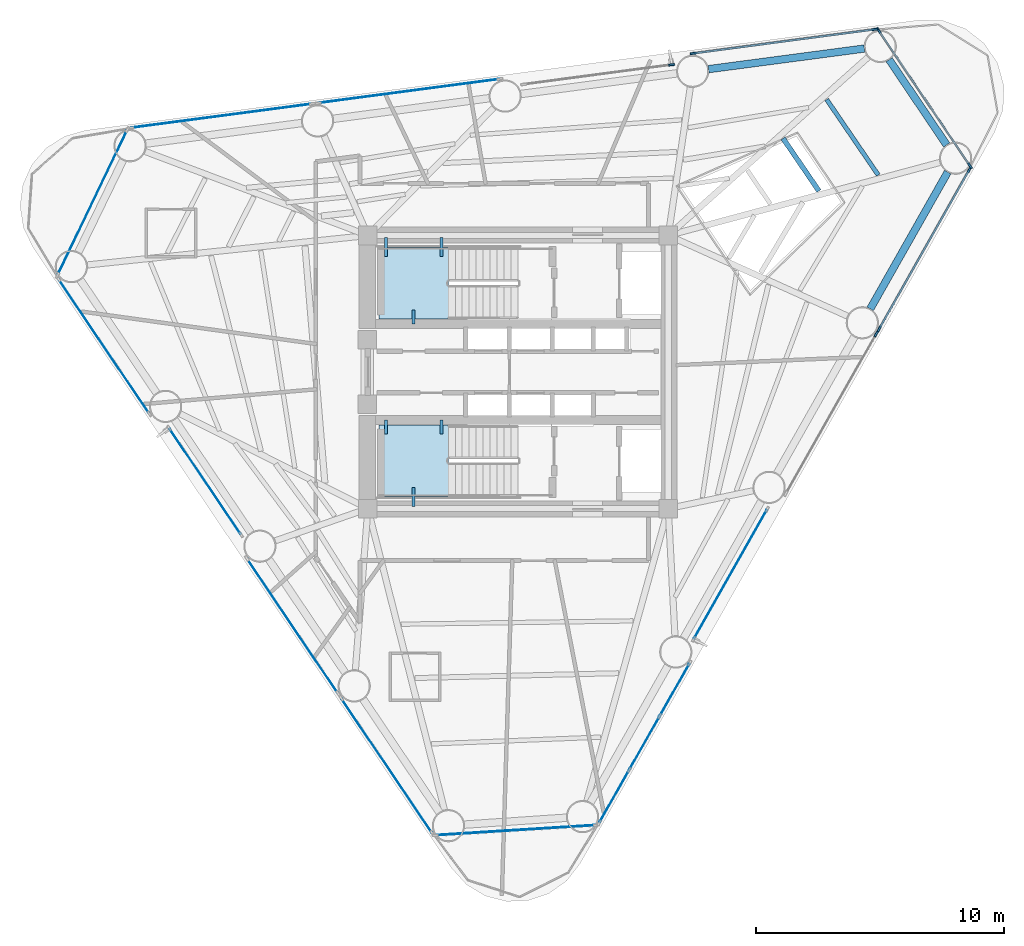
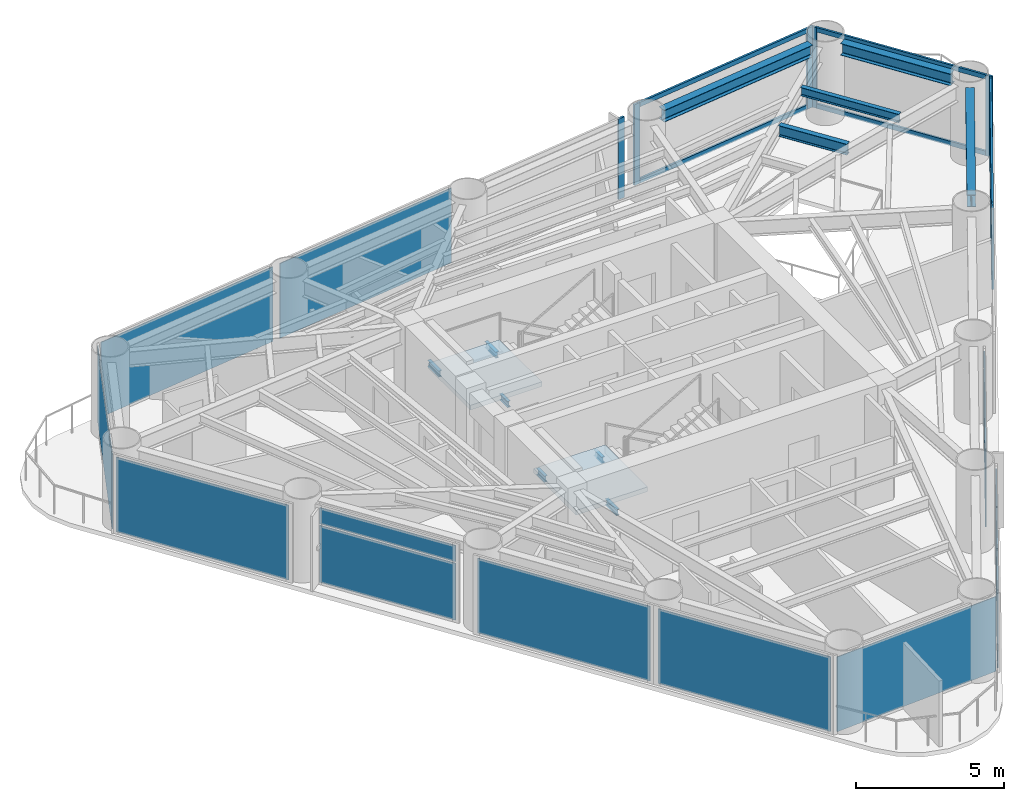
# One storey, part 4 of 10: 17 plates, 14 members, 11 beams, 2 slabs, 17 elements without a shape of their own.
"""IFC4 building model written with IfcOpenShell, lengths in metres."""

from ifc_helpers import new_model, si_unit, direction, frame, origin, origin_2d, place, context, subcontext, project, spatial, polyline, rectangle, i_section, outline, extrude, source, transform, mapped, material, layer, layer_set, material_profile, profile_set, type_object, element, aggregate, save


model = new_model("IFC4")

# Units and contexts
model_context = context("Model", 3, precision=1e-05, world=origin(), true_north=direction((0.0, 1.0)))
body_context = subcontext(model_context, "Body", "Model", "MODEL_VIEW")
ifc_project = project(units=[si_unit("LENGTHUNIT", "METRE"), si_unit("AREAUNIT", "SQUARE_METRE"), si_unit("VOLUMEUNIT", "CUBIC_METRE"), si_unit("PLANEANGLEUNIT", "RADIAN"), si_unit("MASSUNIT", "GRAM", prefix="KILO")], contexts=[model_context])

# Site, building, storey
site_placement = place(None, origin())
site = spatial("IfcSite", under=ifc_project, at=site_placement, CompositionType="ELEMENT")
building_placement = place(site_placement, origin())
building = spatial("IfcBuilding", under=site, at=building_placement, Name="Yunling Apex Tower", CompositionType="ELEMENT")
storey_placement = place(building_placement, frame((0.0, 0.0, 182.89990234375)))
storey = spatial("IfcBuildingStorey", under=building, at=storey_placement, Name="L45", CompositionType="ELEMENT", Elevation=182.89990234375)

# Beams
ifc_material_1 = material(Name="Steel Q355B", Category="steel")
ifc_material_profile_1 = material_profile(ifc_material_1, i_section(OverallWidth=0.125, OverallDepth=0.25, WebThickness=0.006103515625, FlangeThickness=0.009033203125, FilletRadius=0.011962890625, at=origin_2d()))
ifc_profile_set_1 = profile_set([ifc_material_profile_1], Name="Steel Q355B")
beam_type_1 = type_object("IfcBeamType", Name="BL-LNT-1", PredefinedType="LINTEL", material=ifc_profile_set_1)
shared_shape_1 = source(origin(), body_context, "Body", "SweptSolid", [
    extrude(i_section(OverallWidth=0.125, OverallDepth=0.25, WebThickness=0.006103515625, FlangeThickness=0.009033203125, FilletRadius=0.011962890625, at=origin_2d()), origin(), (0.0, 0.0, 1.0), 0.760009765625),
])
for number, where, z_axis, x_axis, name in (
    (1, (-5.320068359375, 5.419921875, 1.405029296875), (0.0, -1.0, 0.0), (1.0, 0.0, 0.0), "L45 ST-1 Landing Bearing Corbel 1-1"),
    (2, (-3.090087890625, 5.419921875, 1.405029296875), (0.0, -1.0, 0.0), (1.0, 0.0, 0.0), "L45 ST-1 Landing Bearing Corbel 1-2"),
    (3, (-4.205078125, -5.419921875, 1.405029296875), (0.0, 1.0, 0.0), (-1.0, 0.0, 0.0), "L45 ST-2 Landing Bearing Corbel 1-3"),
):
    element("IfcBeam", number, at=place(storey_placement, frame(where, z_axis=z_axis, x_axis=x_axis)), inside=storey, type_object=beam_type_1, Name=name, PredefinedType="LINTEL", context=body_context, shape_type="MappedRepresentation", body=[
        mapped(shared_shape_1, transform((0.0, 0.0, 0.0), scale=1.0)),
    ])
shared_shape_2 = source(origin(), body_context, "Body", "SweptSolid", [
    extrude(i_section(OverallWidth=0.125, OverallDepth=0.25, WebThickness=0.006103515625, FlangeThickness=0.009033203125, FilletRadius=0.011962890625, at=origin_2d()), origin(), (0.0, 0.0, 1.0), 0.550048828125),
])
for number, where, z_axis, x_axis, name in (
    (4, (-4.205078125, 1.93994140625, 1.405029296875), (0.0, 1.0, 0.0), (-1.0, 0.0, 0.0), "L45 ST-1 Landing Bearing Corbel 1-3"),
    (5, (-5.320068359375, -1.93994140625, 1.405029296875), (0.0, -1.0, 0.0), (1.0, 0.0, 0.0), "L45 ST-2 Landing Bearing Corbel 1-1"),
    (6, (-3.090087890625, -1.93994140625, 1.405029296875), (0.0, -1.0, 0.0), (1.0, 0.0, 0.0), "L45 ST-2 Landing Bearing Corbel 1-2"),
):
    element("IfcBeam", number, at=place(storey_placement, frame(where, z_axis=z_axis, x_axis=x_axis)), inside=storey, type_object=beam_type_1, Name=name, PredefinedType="LINTEL", context=body_context, shape_type="MappedRepresentation", body=[
        mapped(shared_shape_2, transform((0.0, 0.0, 0.0), scale=1.0)),
    ])
ifc_material_profile_2 = material_profile(ifc_material_1, i_section(OverallWidth=0.300048828125, OverallDepth=0.489990234375, WebThickness=0.010986328125, FlangeThickness=0.01806640625, FilletRadius=0.02197265625, at=origin_2d()))
ifc_profile_set_2 = profile_set([ifc_material_profile_2], Name="Steel Q355B")
beam_type_2 = type_object("IfcBeamType", Name="BP-SPN-2", PredefinedType="SPANDREL", material=ifc_profile_set_2)
shared_shape_3 = source(origin(), body_context, "Body", "SweptSolid", [
    extrude(i_section(OverallWidth=0.300048828125, OverallDepth=0.489990234375, WebThickness=0.010986328125, FlangeThickness=0.01806640625, FilletRadius=0.02197265625, at=origin_2d()), origin(), (0.0, 0.0, 1.0), 6.33251953125),
])
for number, where, z_axis, x_axis, name in (
    (7, (14.183837890625, 2.54248046875, 2.985107421875), (0.493030081742, 0.870012263418, 0.0), (-0.870012263418, 0.493030081742, 0.0), "L45 Perimeter Spandrel Beam 4"),
    (8, (13.948486328125, 13.029541015625, 2.985107421875), (-0.991351373324, -0.131234349957, 0.0), (0.131234349957, -0.991351373324, 0.0), "L45 Perimeter Spandrel Beam 6"),
):
    element("IfcBeam", number, at=place(storey_placement, frame(where, z_axis=z_axis, x_axis=x_axis)), inside=storey, type_object=beam_type_2, Name=name, PredefinedType="SPANDREL", context=body_context, shape_type="MappedRepresentation", body=[
        mapped(shared_shape_3, transform((0.0, 0.0, 0.0), scale=1.0)),
    ])
shared_shape_4 = source(origin(), body_context, "Body", "SweptSolid", [
    extrude(i_section(OverallWidth=0.300048828125, OverallDepth=0.489990234375, WebThickness=0.010986328125, FlangeThickness=0.01806640625, FilletRadius=0.02197265625, at=origin_2d()), origin(), (0.0, 0.0, 1.0), 4.142333984375),
])
beam_1_placement = place(storey_placement, frame((17.263427734375, 9.14599609375, 2.985107421875), z_axis=(-0.559207616177, 0.829027648519, 0.0), x_axis=(-0.829027648519, -0.559207616177, 0.0)))
element("IfcBeam", 9, at=beam_1_placement, inside=storey, type_object=beam_type_2, Name="L45 Perimeter Spandrel Beam 5", PredefinedType="SPANDREL", context=body_context, shape_type="MappedRepresentation", body=[
    mapped(shared_shape_4, transform((0.0, 0.0, 0.0), scale=1.0)),
])
ifc_material_profile_3 = material_profile(ifc_material_1, i_section(OverallWidth=0.199951171875, OverallDepth=0.449951171875, WebThickness=0.009033203125, FlangeThickness=0.013916015625, FilletRadius=0.01806640625, at=origin_2d()))
ifc_profile_set_3 = profile_set([ifc_material_profile_3], Name="Steel Q355B")
beam_type_3 = type_object("IfcBeamType", Name="BS-SEC-3", PredefinedType="BEAM", material=ifc_profile_set_3)
shared_shape_5 = source(origin(), body_context, "Body", "SweptSolid", [
    extrude(i_section(OverallWidth=0.199951171875, OverallDepth=0.449951171875, WebThickness=0.009033203125, FlangeThickness=0.013916015625, FilletRadius=0.01806640625, at=origin_2d()), origin(), (0.0, 0.0, 1.0), 2.568115234375),
])
beam_2_placement = place(storey_placement, frame((12.119140625, 7.288330078125, 3.005126953125), z_axis=(-0.563466614011, 0.826138835121, 0.0), x_axis=(-0.826138835121, -0.563466614011, 0.0)))
element("IfcBeam", 10, at=beam_2_placement, inside=storey, type_object=beam_type_3, Name="L45 Composite Floor Beam BS-5", PredefinedType="BEAM", context=body_context, shape_type="MappedRepresentation", body=[
    mapped(shared_shape_5, transform((0.0, 0.0, 0.0), scale=1.0)),
])
ifc_material_profile_4 = material_profile(ifc_material_1, i_section(OverallWidth=0.175048828125, OverallDepth=0.35009765625, WebThickness=0.007080078125, FlangeThickness=0.010986328125, FilletRadius=0.013916015625, at=origin_2d()))
ifc_profile_set_4 = profile_set([ifc_material_profile_4], Name="Steel Q355B")
beam_type_4 = type_object("IfcBeamType", Name="BJ-JST-1", PredefinedType="JOIST", material=ifc_profile_set_4)
shared_shape_6 = source(origin(), body_context, "Body", "SweptSolid", [
    extrude(i_section(OverallWidth=0.175048828125, OverallDepth=0.35009765625, WebThickness=0.007080078125, FlangeThickness=0.010986328125, FilletRadius=0.013916015625, at=origin_2d()), origin(), (0.0, 0.0, 1.0), 3.68798828125),
])
beam_3_placement = place(storey_placement, frame((14.508544921875, 7.930908203125, 3.05517578125), z_axis=(-0.563817396113, 0.825899475626, 0.0), x_axis=(-0.825899475626, -0.563817396113, 0.0)))
element("IfcBeam", 11, at=beam_3_placement, inside=storey, type_object=beam_type_4, Name="L45 Composite Floor Joist BJ1-5", PredefinedType="JOIST", context=body_context, shape_type="MappedRepresentation", body=[
    mapped(shared_shape_6, transform((0.0, 0.0, 0.0), scale=1.0)),
])

# Curtain wall, members
ifc_material_2 = material(Name="Bronze anodised aluminium", Category="aluminium")
ifc_layer_1 = layer(ifc_material_2, 0.239990234375)
ifc_layer_set_1 = layer_set([ifc_layer_1], Name="Bronze anodised aluminium")
curtain_wall_type = type_object("IfcCurtainWallType", Name="CW-SYS-3", PredefinedType="NOTDEFINED", material=ifc_layer_set_1)
curtain_wall_1_placement = place(storey_placement, origin())
curtain_wall_1 = element("IfcCurtainWall", 12, at=curtain_wall_1_placement, inside=storey, type_object=curtain_wall_type, Name="CW-L45-F1-B4", PredefinedType="NOTDEFINED")
ifc_material_profile_5 = material_profile(ifc_material_2, rectangle(XDim=0.080078125, YDim=0.18505859375, at=origin_2d()))
ifc_profile_set_5 = profile_set([ifc_material_profile_5], Name="Bronze anodised aluminium")
member_type_1 = type_object("IfcMemberType", Name="CW-TRN-3", PredefinedType="USERDEFINED", material=ifc_profile_set_5)
shared_shape_7 = source(origin(), body_context, "Body", "SweptSolid", [
    extrude(rectangle(XDim=0.080078125, YDim=0.18505859375, at=origin_2d()), origin(), (0.0, 0.0, 1.0), 7.308837890625),
])
member_1_placement = place(storey_placement, frame((14.560791015625, 1.767822265625, 0.0400390625), z_axis=(0.493042070546, 0.870005469334, 0.0), x_axis=(-0.870005469334, 0.493042070546, 0.0)))
member_1 = element("IfcMember", 13, at=member_1_placement, type_object=member_type_1, Name="CW-SYS-3 transom 1.1", ObjectType="TRANSOM", PredefinedType="USERDEFINED", context=body_context, shape_type="MappedRepresentation", body=[
    mapped(shared_shape_7, transform((0.0, 0.0, 0.0), scale=1.0)),
])
member_2_placement = place(storey_placement, frame((14.560791015625, 1.767822265625, 3.190185546875), z_axis=(0.493042070546, 0.870005469334, 0.0), x_axis=(-0.870005469334, 0.493042070546, 0.0)))
member_2 = element("IfcMember", 14, at=member_2_placement, type_object=member_type_1, Name="CW-SYS-3 transom 1.2", ObjectType="TRANSOM", PredefinedType="USERDEFINED", context=body_context, shape_type="MappedRepresentation", body=[
    mapped(shared_shape_7, transform((0.0, 0.0, 0.0), scale=1.0)),
])

curtain_wall_2_placement = place(storey_placement, origin())
curtain_wall_2 = element("IfcCurtainWall", 15, at=curtain_wall_2_placement, inside=storey, type_object=curtain_wall_type, Name="CW-L45-CRN1", PredefinedType="NOTDEFINED")
shared_shape_8 = source(origin(), body_context, "Body", "SweptSolid", [
    extrude(rectangle(XDim=0.080078125, YDim=0.18505859375, at=origin_2d()), origin(), (0.0, 0.0, 1.0), 6.513916015625),
])
member_3_placement = place(storey_placement, frame((18.181396484375, 8.3349609375, 0.0400390625), z_axis=(-0.559206971542, 0.829028083347, 0.0), x_axis=(-0.829028083347, -0.559206971542, 0.0)))
member_3 = element("IfcMember", 16, at=member_3_placement, type_object=member_type_1, Name="CW-SYS-3 transom 1.1", ObjectType="TRANSOM", PredefinedType="USERDEFINED", context=body_context, shape_type="MappedRepresentation", body=[
    mapped(shared_shape_8, transform((0.0, 0.0, 0.0), scale=1.0)),
])
member_4_placement = place(storey_placement, frame((18.181396484375, 8.3349609375, 3.190185546875), z_axis=(-0.559206971542, 0.829028083347, 0.0), x_axis=(-0.829028083347, -0.559206971542, 0.0)))
member_4 = element("IfcMember", 17, at=member_4_placement, type_object=member_type_1, Name="CW-SYS-3 transom 1.2", ObjectType="TRANSOM", PredefinedType="USERDEFINED", context=body_context, shape_type="MappedRepresentation", body=[
    mapped(shared_shape_8, transform((0.0, 0.0, 0.0), scale=1.0)),
])

curtain_wall_3_placement = place(storey_placement, origin())
curtain_wall_3 = element("IfcCurtainWall", 18, at=curtain_wall_3_placement, inside=storey, type_object=curtain_wall_type, Name="CW-L45-F2-B1", PredefinedType="NOTDEFINED")
shared_shape_9 = source(origin(), body_context, "Body", "SweptSolid", [
    extrude(rectangle(XDim=0.080078125, YDim=0.18505859375, at=origin_2d()), origin(), (0.0, 0.0, 1.0), 7.30859375),
])
member_5_placement = place(storey_placement, frame((14.339111328125, 13.79736328125, 0.0400390625), z_axis=(-0.991354063091, -0.131214029714, 0.0), x_axis=(0.131214029714, -0.991354063091, 0.0)))
member_5 = element("IfcMember", 19, at=member_5_placement, type_object=member_type_1, Name="CW-SYS-3 transom 1.1", ObjectType="TRANSOM", PredefinedType="USERDEFINED", context=body_context, shape_type="MappedRepresentation", body=[
    mapped(shared_shape_9, transform((0.0, 0.0, 0.0), scale=1.0)),
])
member_6_placement = place(storey_placement, frame((14.339111328125, 13.79736328125, 3.190185546875), z_axis=(-0.991354063091, -0.131214029714, 0.0), x_axis=(0.131214029714, -0.991354063091, 0.0)))
member_6 = element("IfcMember", 20, at=member_6_placement, type_object=member_type_1, Name="CW-SYS-3 transom 1.2", ObjectType="TRANSOM", PredefinedType="USERDEFINED", context=body_context, shape_type="MappedRepresentation", body=[
    mapped(shared_shape_9, transform((0.0, 0.0, 0.0), scale=1.0)),
])

# Curtain wall, member
curtain_wall_4_placement = place(storey_placement, origin())
curtain_wall_4 = element("IfcCurtainWall", 21, at=curtain_wall_4_placement, inside=storey, type_object=curtain_wall_type, Name="CW-L45-F1-B3", PredefinedType="NOTDEFINED")
ifc_material_profile_6 = material_profile(ifc_material_2, rectangle(XDim=0.080078125, YDim=0.239990234375, at=origin_2d()))
ifc_profile_set_6 = profile_set([ifc_material_profile_6], Name="Bronze anodised aluminium")
member_type_2 = type_object("IfcMemberType", Name="CW-MUL-3", PredefinedType="MULLION", material=ifc_profile_set_6)
shared_shape_10 = source(origin(), body_context, "Body", "SweptSolid", [
    extrude(rectangle(XDim=0.080078125, YDim=0.239990234375, at=origin_2d()), origin(), (0.0, 0.0, 1.0), 3.329833984375),
])
member_7_placement = place(storey_placement, frame((14.4248046875, 1.527587890625, -0.0498046875), z_axis=(0.0, 0.0, 1.0), x_axis=(-0.870009345679, 0.493035230416, 0.0)))
member_7 = element("IfcMember", 22, at=member_7_placement, type_object=member_type_2, Name="CW-SYS-3 mullion 2", PredefinedType="MULLION", context=body_context, shape_type="MappedRepresentation", body=[
    mapped(shared_shape_10, transform((0.0, 0.0, 0.0), scale=1.0)),
])
aggregate(curtain_wall_4, [member_7])

# Member
member_8_placement = place(storey_placement, frame((14.543212890625, 1.736572265625, -0.0498046875), z_axis=(0.0, 0.0, 1.0), x_axis=(-0.870006087438, 0.493040979859, 0.0)))
member_8 = element("IfcMember", 23, at=member_8_placement, type_object=member_type_2, Name="CW-SYS-3 mullion 1", PredefinedType="MULLION", context=body_context, shape_type="MappedRepresentation", body=[
    mapped(shared_shape_10, transform((0.0, 0.0, 0.0), scale=1.0)),
])

member_9_placement = place(storey_placement, frame((18.18212890625, 8.15771484375, -0.0498046875), z_axis=(0.0, 0.0, 1.0), x_axis=(-0.870006087438, 0.493040979859, 0.0)))
member_9 = element("IfcMember", 24, at=member_9_placement, type_object=member_type_2, Name="CW-SYS-3 mullion 2", PredefinedType="MULLION", context=body_context, shape_type="MappedRepresentation", body=[
    mapped(shared_shape_10, transform((0.0, 0.0, 0.0), scale=1.0)),
])

aggregate(curtain_wall_1, [member_8, member_9, member_1, member_2])

member_10_placement = place(storey_placement, frame((18.201416015625, 8.30517578125, -0.0498046875), z_axis=(0.0, 0.0, 1.0), x_axis=(-0.829037677921, -0.559192747259, 0.0)))
member_10 = element("IfcMember", 25, at=member_10_placement, type_object=member_type_2, Name="CW-SYS-3 mullion 1", PredefinedType="MULLION", context=body_context, shape_type="MappedRepresentation", body=[
    mapped(shared_shape_10, transform((0.0, 0.0, 0.0), scale=1.0)),
])

member_11_placement = place(storey_placement, frame((14.518798828125, 13.764892578125, -0.0498046875), z_axis=(0.0, 0.0, 1.0), x_axis=(-0.829037677921, -0.559192747259, 0.0)))
member_11 = element("IfcMember", 26, at=member_11_placement, type_object=member_type_2, Name="CW-SYS-3 mullion 2", PredefinedType="MULLION", context=body_context, shape_type="MappedRepresentation", body=[
    mapped(shared_shape_10, transform((0.0, 0.0, 0.0), scale=1.0)),
])

aggregate(curtain_wall_2, [member_10, member_11, member_3, member_4])

member_12_placement = place(storey_placement, frame((14.374755859375, 13.80224609375, -0.0498046875), z_axis=(0.0, 0.0, 1.0), x_axis=(0.131222473138, -0.991352945496, 0.0)))
member_12 = element("IfcMember", 27, at=member_12_placement, type_object=member_type_2, Name="CW-SYS-3 mullion 1", PredefinedType="MULLION", context=body_context, shape_type="MappedRepresentation", body=[
    mapped(shared_shape_10, transform((0.0, 0.0, 0.0), scale=1.0)),
])

member_13_placement = place(storey_placement, frame((7.05810546875, 12.833740234375, -0.0498046875), z_axis=(0.0, 0.0, 1.0), x_axis=(0.131222473138, -0.991352945496, 0.0)))
member_13 = element("IfcMember", 28, at=member_13_placement, type_object=member_type_2, Name="CW-SYS-3 mullion 2", PredefinedType="MULLION", context=body_context, shape_type="MappedRepresentation", body=[
    mapped(shared_shape_10, transform((0.0, 0.0, 0.0), scale=1.0)),
])

aggregate(curtain_wall_3, [member_12, member_13, member_5, member_6])

# Curtain wall, member
curtain_wall_5_placement = place(storey_placement, origin())
curtain_wall_5 = element("IfcCurtainWall", 29, at=curtain_wall_5_placement, inside=storey, type_object=curtain_wall_type, Name="CW-L45-F2-B2", PredefinedType="NOTDEFINED")
member_14_placement = place(storey_placement, frame((6.1806640625, 12.37451171875, -0.0498046875), z_axis=(0.0, 0.0, 1.0), x_axis=(0.131204916036, -0.99135526932, 0.0)))
member_14 = element("IfcMember", 30, at=member_14_placement, type_object=member_type_2, Name="CW-SYS-3 mullion 1", PredefinedType="MULLION", context=body_context, shape_type="MappedRepresentation", body=[
    mapped(shared_shape_10, transform((0.0, 0.0, 0.0), scale=1.0)),
])
aggregate(curtain_wall_5, [member_14])

# Stair, slab
ifc_material_3 = material(Name="Concrete C40", Category="concrete")
stair_type = type_object("IfcStairType", Name="ST-TWR-2", PredefinedType="HALF_TURN_STAIR", material=ifc_material_3)
stair_1_placement = place(storey_placement, origin())
stair_1 = element("IfcStair", 31, at=stair_1_placement, inside=storey, type_object=stair_type, Name="L45 North Core Smokeproof Exit Stair ST-1", PredefinedType="HALF_TURN_STAIR")
ifc_layer_2 = layer(ifc_material_3, 0.195068359375)
ifc_layer_set_2 = layer_set([ifc_layer_2], Name="Concrete C40")
slab_type = type_object("IfcSlabType", Name="SL-LND-1", PredefinedType="LANDING", material=ifc_layer_set_2)
slab_1_placement = place(storey_placement, frame((0.0, 0.0, 1.530029296875)))
slab_1 = element("IfcSlab", 32, at=slab_1_placement, type_object=slab_type, Name="ST-1 landing 1", PredefinedType="LANDING", context=body_context, shape_type="SweptSolid", body=[
    extrude(outline(polyline([(-2.81005859375, 5.010009765625), (-5.60009765625, 5.010009765625), (-5.60009765625, 2.139892578125), (-2.81005859375, 2.139892578125), (-2.81005859375, 5.010009765625)])), origin(), (0.0, 0.0, 1.0), 0.195068359375),
])
aggregate(stair_1, [slab_1])

stair_2_placement = place(storey_placement, origin())
stair_2 = element("IfcStair", 33, at=stair_2_placement, inside=storey, type_object=stair_type, Name="L45 South Core Smokeproof Exit Stair ST-2", PredefinedType="HALF_TURN_STAIR")
slab_2_placement = place(storey_placement, frame((0.0, 0.0, 1.530029296875)))
slab_2 = element("IfcSlab", 34, at=slab_2_placement, type_object=slab_type, Name="ST-2 landing 1", PredefinedType="LANDING", context=body_context, shape_type="SweptSolid", body=[
    extrude(outline(polyline([(-2.81005859375, -2.139892578125), (-5.60009765625, -2.139892578125), (-5.60009765625, -5.010009765625), (-2.81005859375, -5.010009765625), (-2.81005859375, -2.139892578125)])), origin(), (0.0, 0.0, 1.0), 0.195068359375),
])
aggregate(stair_2, [slab_2])

# Curtain wall, plates
curtain_wall_6_placement = place(storey_placement, origin())
curtain_wall_6 = element("IfcCurtainWall", 35, at=curtain_wall_6_placement, inside=storey, type_object=curtain_wall_type, Name="CW-L45-F1-B1", PredefinedType="NOTDEFINED")
ifc_material_4 = material(Name="Bronze tinted low-E glass", Category="glass")
ifc_layer_3 = layer(ifc_material_4, 0.031982421875)
ifc_layer_set_3 = layer_set([ifc_layer_3], Name="Bronze tinted low-E glass")
plate_type = type_object("IfcPlateType", Name="CW-PNL-3", PredefinedType="CURTAIN_PANEL", material=ifc_layer_set_3)
shared_shape_11 = source(origin(), body_context, "Body", "SweptSolid", [
    extrude(rectangle(XDim=2.3828125, YDim=0.031982421875, at=origin_2d()), origin(), (0.0, 0.0, 1.0), 2.350830078125),
])
plate_1_placement = place(storey_placement, frame((3.874755859375, -17.089111328125, 0.072265625), z_axis=(0.0, 0.0, 1.0), x_axis=(0.493040979859, 0.870006087438, 0.0)))
plate_1 = element("IfcPlate", 36, at=plate_1_placement, type_object=plate_type, Name="CW-SYS-3 panel 1.1", PredefinedType="CURTAIN_PANEL", context=body_context, shape_type="MappedRepresentation", body=[
    mapped(shared_shape_11, transform((0.0, 0.0, 0.0), scale=1.0)),
])
plate_2_placement = place(storey_placement, frame((6.307373046875, -12.796875, 0.072265625), z_axis=(0.0, 0.0, 1.0), x_axis=(0.493040979859, 0.870006087438, 0.0)))
plate_2 = element("IfcPlate", 37, at=plate_2_placement, type_object=plate_type, Name="CW-SYS-3 panel 3.1", PredefinedType="CURTAIN_PANEL", context=body_context, shape_type="MappedRepresentation", body=[
    mapped(shared_shape_11, transform((0.0, 0.0, 0.0), scale=1.0)),
])
shared_shape_12 = source(origin(), body_context, "Body", "SweptSolid", [
    extrude(rectangle(XDim=2.3828125, YDim=0.031982421875, at=origin_2d()), origin(), (0.0, 0.0, 1.0), 0.671142578125),
])
plate_3_placement = place(storey_placement, frame((3.874755859375, -17.089111328125, 2.48681640625), z_axis=(0.0, 0.0, 1.0), x_axis=(0.493040979859, 0.870006087438, 0.0)))
plate_3 = element("IfcPlate", 38, at=plate_3_placement, type_object=plate_type, Name="CW-SYS-3 panel 1.2", PredefinedType="CURTAIN_PANEL", context=body_context, shape_type="MappedRepresentation", body=[
    mapped(shared_shape_12, transform((0.0, 0.0, 0.0), scale=1.0)),
])
plate_4_placement = place(storey_placement, frame((6.307373046875, -12.796875, 2.48681640625), z_axis=(0.0, 0.0, 1.0), x_axis=(0.493040979859, 0.870006087438, 0.0)))
plate_4 = element("IfcPlate", 39, at=plate_4_placement, type_object=plate_type, Name="CW-SYS-3 panel 3.2", PredefinedType="CURTAIN_PANEL", context=body_context, shape_type="MappedRepresentation", body=[
    mapped(shared_shape_12, transform((0.0, 0.0, 0.0), scale=1.0)),
])
shared_shape_13 = source(origin(), body_context, "Body", "SweptSolid", [
    extrude(rectangle(XDim=2.4228515625, YDim=0.031982421875, at=origin_2d()), origin(), (0.0, 0.0, 1.0), 2.350830078125),
])
plate_5_placement = place(storey_placement, frame((5.091064453125, -14.943115234375, 0.072265625), z_axis=(0.0, 0.0, 1.0), x_axis=(0.493040979859, 0.870006087438, 0.0)))
plate_5 = element("IfcPlate", 40, at=plate_5_placement, type_object=plate_type, Name="CW-SYS-3 panel 2.1", PredefinedType="CURTAIN_PANEL", context=body_context, shape_type="MappedRepresentation", body=[
    mapped(shared_shape_13, transform((0.0, 0.0, 0.0), scale=1.0)),
])
shared_shape_14 = source(origin(), body_context, "Body", "SweptSolid", [
    extrude(rectangle(XDim=2.4228515625, YDim=0.031982421875, at=origin_2d()), origin(), (0.0, 0.0, 1.0), 0.671142578125),
])
plate_6_placement = place(storey_placement, frame((5.091064453125, -14.943115234375, 2.48681640625), z_axis=(0.0, 0.0, 1.0), x_axis=(0.493040979859, 0.870006087438, 0.0)))
plate_6 = element("IfcPlate", 41, at=plate_6_placement, type_object=plate_type, Name="CW-SYS-3 panel 2.2", PredefinedType="CURTAIN_PANEL", context=body_context, shape_type="MappedRepresentation", body=[
    mapped(shared_shape_14, transform((0.0, 0.0, 0.0), scale=1.0)),
])
aggregate(curtain_wall_6, [plate_1, plate_3, plate_5, plate_6, plate_2, plate_4])

curtain_wall_7_placement = place(storey_placement, origin())
curtain_wall_7 = element("IfcCurtainWall", 42, at=curtain_wall_7_placement, inside=storey, type_object=curtain_wall_type, Name="CW-L45-F1-B2", PredefinedType="NOTDEFINED")
shared_shape_15 = source(origin(), body_context, "Body", "SweptSolid", [
    extrude(rectangle(XDim=5.9365234375, YDim=0.031982421875, at=origin_2d()), origin(), (0.0, 0.0, 1.0), 2.350830078125),
])
plate_7_placement = place(storey_placement, frame((8.552490234375, -8.145263671875, 0.072265625), z_axis=(0.0, 0.0, 1.0), x_axis=(0.493047012471, 0.87000266867, 0.0)))
plate_7 = element("IfcPlate", 43, at=plate_7_placement, type_object=plate_type, Name="CW-SYS-3 panel 1.1", PredefinedType="CURTAIN_PANEL", context=body_context, shape_type="MappedRepresentation", body=[
    mapped(shared_shape_15, transform((0.0, 0.0, 0.0), scale=1.0)),
])
shared_shape_16 = source(origin(), body_context, "Body", "SweptSolid", [
    extrude(rectangle(XDim=5.9365234375, YDim=0.031982421875, at=origin_2d()), origin(), (0.0, 0.0, 1.0), 0.671142578125),
])
plate_8_placement = place(storey_placement, frame((8.552490234375, -8.145263671875, 2.48681640625), z_axis=(0.0, 0.0, 1.0), x_axis=(0.493047012471, 0.87000266867, 0.0)))
plate_8 = element("IfcPlate", 44, at=plate_8_placement, type_object=plate_type, Name="CW-SYS-3 panel 1.2", PredefinedType="CURTAIN_PANEL", context=body_context, shape_type="MappedRepresentation", body=[
    mapped(shared_shape_16, transform((0.0, 0.0, 0.0), scale=1.0)),
])
aggregate(curtain_wall_7, [plate_7, plate_8])

# Curtain wall, plate
curtain_wall_8_placement = place(storey_placement, origin())
curtain_wall_8 = element("IfcCurtainWall", 45, at=curtain_wall_8_placement, inside=storey, type_object=curtain_wall_type, Name="CW-L45-F2-B3", PredefinedType="NOTDEFINED")
shared_shape_17 = source(origin(), body_context, "Body", "SweptSolid", [
    extrude(rectangle(XDim=7.316650390625, YDim=0.031982421875, at=origin_2d()), origin(), (0.0, 0.0, 1.0), 3.0859375),
])
plate_9_placement = place(storey_placement, frame((-4.39306640625, 11.318115234375, 0.072021484375), z_axis=(0.0, 0.0, 1.0), x_axis=(-0.991354689071, -0.13120930019, 0.0)))
plate_9 = element("IfcPlate", 46, at=plate_9_placement, type_object=plate_type, Name="CW-SYS-3 panel 1.1", PredefinedType="CURTAIN_PANEL", context=body_context, shape_type="MappedRepresentation", body=[
    mapped(shared_shape_17, transform((0.0, 0.0, 0.0), scale=1.0)),
])
aggregate(curtain_wall_8, [plate_9])

curtain_wall_9_placement = place(storey_placement, origin())
curtain_wall_9 = element("IfcCurtainWall", 47, at=curtain_wall_9_placement, inside=storey, type_object=curtain_wall_type, Name="CW-L45-F2-B4", PredefinedType="NOTDEFINED")
plate_10_placement = place(storey_placement, frame((-11.94775390625, 10.318115234375, 0.072021484375), z_axis=(0.0, 0.0, 1.0), x_axis=(-0.991352945496, -0.131222473138, 0.0)))
plate_10 = element("IfcPlate", 48, at=plate_10_placement, type_object=plate_type, Name="CW-SYS-3 panel 1.1", PredefinedType="CURTAIN_PANEL", context=body_context, shape_type="MappedRepresentation", body=[
    mapped(shared_shape_17, transform((0.0, 0.0, 0.0), scale=1.0)),
])
aggregate(curtain_wall_9, [plate_10])

curtain_wall_10_placement = place(storey_placement, origin())
curtain_wall_10 = element("IfcCurtainWall", 49, at=curtain_wall_10_placement, inside=storey, type_object=curtain_wall_type, Name="CW-L45-CRN2", PredefinedType="NOTDEFINED")
shared_shape_18 = source(origin(), body_context, "Body", "SweptSolid", [
    extrude(rectangle(XDim=6.441162109375, YDim=0.031982421875, at=origin_2d()), origin(), (0.0, 0.0, 1.0), 3.0859375),
])
plate_11_placement = place(storey_placement, frame((-17.144775390625, 6.828857421875, 0.072021484375), z_axis=(0.0, 0.0, 1.0), x_axis=(-0.431993843071, -0.901876554496, 0.0)))
plate_11 = element("IfcPlate", 50, at=plate_11_placement, type_object=plate_type, Name="CW-SYS-3 panel 1.1", PredefinedType="CURTAIN_PANEL", context=body_context, shape_type="MappedRepresentation", body=[
    mapped(shared_shape_18, transform((0.0, 0.0, 0.0), scale=1.0)),
])
aggregate(curtain_wall_10, [plate_11])

curtain_wall_11_placement = place(storey_placement, origin())
curtain_wall_11 = element("IfcCurtainWall", 51, at=curtain_wall_11_placement, inside=storey, type_object=curtain_wall_type, Name="CW-L45-CRN3", PredefinedType="NOTDEFINED")
plate_12_placement = place(storey_placement, frame((-0.091064453125, -18.454345703125, 0.072021484375), z_axis=(0.0, 0.0, 1.0), x_axis=(0.998034158431, 0.062672311308, 0.0)))
plate_12 = element("IfcPlate", 52, at=plate_12_placement, type_object=plate_type, Name="CW-SYS-3 panel 1.1", PredefinedType="CURTAIN_PANEL", context=body_context, shape_type="MappedRepresentation", body=[
    mapped(shared_shape_18, transform((0.0, 0.0, 0.0), scale=1.0)),
])
aggregate(curtain_wall_11, [plate_12])

curtain_wall_12_placement = place(storey_placement, origin())
curtain_wall_12 = element("IfcCurtainWall", 53, at=curtain_wall_12_placement, inside=storey, type_object=curtain_wall_type, Name="CW-L45-F3-B1", PredefinedType="NOTDEFINED")
shared_shape_19 = source(origin(), body_context, "Body", "SweptSolid", [
    extrude(rectangle(XDim=6.487060546875, YDim=0.031982421875, at=origin_2d()), origin(), (0.0, 0.0, 1.0), 3.0859375),
])
plate_13_placement = place(storey_placement, frame((-16.684814453125, 1.033203125, 0.072021484375), z_axis=(0.0, 0.0, 1.0), x_axis=(0.559181442901, -0.829045302692, 0.0)))
plate_13 = element("IfcPlate", 54, at=plate_13_placement, type_object=plate_type, Name="CW-SYS-3 panel 1.1", PredefinedType="CURTAIN_PANEL", context=body_context, shape_type="MappedRepresentation", body=[
    mapped(shared_shape_19, transform((0.0, 0.0, 0.0), scale=1.0)),
])
aggregate(curtain_wall_12, [plate_13])

curtain_wall_13_placement = place(storey_placement, origin())
curtain_wall_13 = element("IfcCurtainWall", 55, at=curtain_wall_13_placement, inside=storey, type_object=curtain_wall_type, Name="CW-L45-F3-B3", PredefinedType="NOTDEFINED")
plate_14_placement = place(storey_placement, frame((-9.08984375, -10.226806640625, 0.072021484375), z_axis=(0.0, 0.0, 1.0), x_axis=(0.559188434042, -0.829040587205, 0.0)))
plate_14 = element("IfcPlate", 56, at=plate_14_placement, type_object=plate_type, Name="CW-SYS-3 panel 1.1", PredefinedType="CURTAIN_PANEL", context=body_context, shape_type="MappedRepresentation", body=[
    mapped(shared_shape_19, transform((0.0, 0.0, 0.0), scale=1.0)),
])
aggregate(curtain_wall_13, [plate_14])

curtain_wall_14_placement = place(storey_placement, origin())
curtain_wall_14 = element("IfcCurtainWall", 57, at=curtain_wall_14_placement, inside=storey, type_object=curtain_wall_type, Name="CW-L45-F3-B4", PredefinedType="NOTDEFINED")
plate_15_placement = place(storey_placement, frame((-5.29248046875, -15.85693359375, 0.072021484375), z_axis=(0.0, 0.0, 1.0), x_axis=(0.559181442901, -0.829045302692, 0.0)))
plate_15 = element("IfcPlate", 58, at=plate_15_placement, type_object=plate_type, Name="CW-SYS-3 panel 1.1", PredefinedType="CURTAIN_PANEL", context=body_context, shape_type="MappedRepresentation", body=[
    mapped(shared_shape_19, transform((0.0, 0.0, 0.0), scale=1.0)),
])
aggregate(curtain_wall_14, [plate_15])

# Curtain wall, plates
curtain_wall_15_placement = place(storey_placement, origin())
curtain_wall_15 = element("IfcCurtainWall", 59, at=curtain_wall_15_placement, inside=storey, type_object=curtain_wall_type, Name="CW-L45-F3-B2", PredefinedType="NOTDEFINED")
shared_shape_20 = source(origin(), body_context, "Body", "SweptSolid", [
    extrude(rectangle(XDim=5.10693359375, YDim=0.031982421875, at=origin_2d()), origin(), (0.0, 0.0, 1.0), 2.350830078125),
])
plate_16_placement = place(storey_placement, frame((-12.60546875, -4.40673828125, 0.072265625), z_axis=(0.0, 0.0, 1.0), x_axis=(0.559209856873, -0.829026137089, 0.0)))
plate_16 = element("IfcPlate", 60, at=plate_16_placement, type_object=plate_type, Name="CW-SYS-3 panel 1.1", PredefinedType="CURTAIN_PANEL", context=body_context, shape_type="MappedRepresentation", body=[
    mapped(shared_shape_20, transform((0.0, 0.0, 0.0), scale=1.0)),
])
shared_shape_21 = source(origin(), body_context, "Body", "SweptSolid", [
    extrude(rectangle(XDim=5.10693359375, YDim=0.031982421875, at=origin_2d()), origin(), (0.0, 0.0, 1.0), 0.671142578125),
])
plate_17_placement = place(storey_placement, frame((-12.60546875, -4.40673828125, 2.48681640625), z_axis=(0.0, 0.0, 1.0), x_axis=(0.559209856873, -0.829026137089, 0.0)))
plate_17 = element("IfcPlate", 61, at=plate_17_placement, type_object=plate_type, Name="CW-SYS-3 panel 1.2", PredefinedType="CURTAIN_PANEL", context=body_context, shape_type="MappedRepresentation", body=[
    mapped(shared_shape_21, transform((0.0, 0.0, 0.0), scale=1.0)),
])
aggregate(curtain_wall_15, [plate_16, plate_17])

save(model, "model.ifc")
